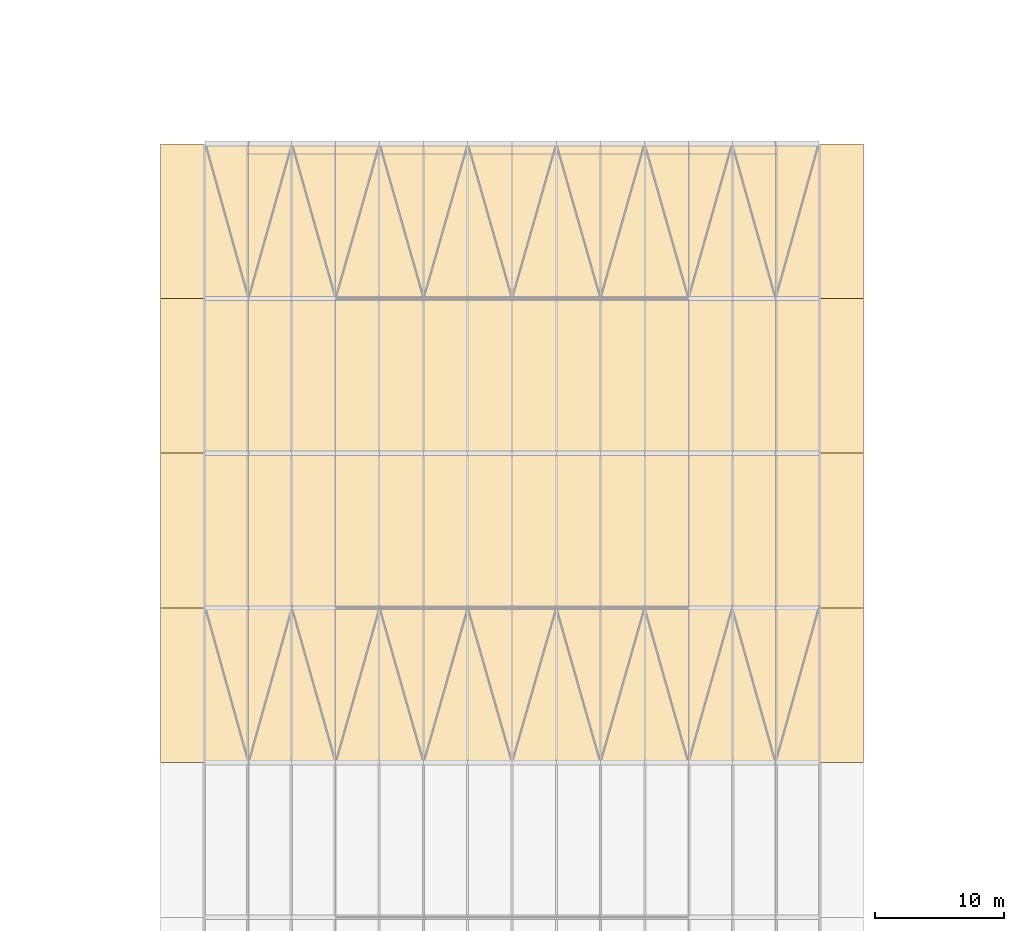
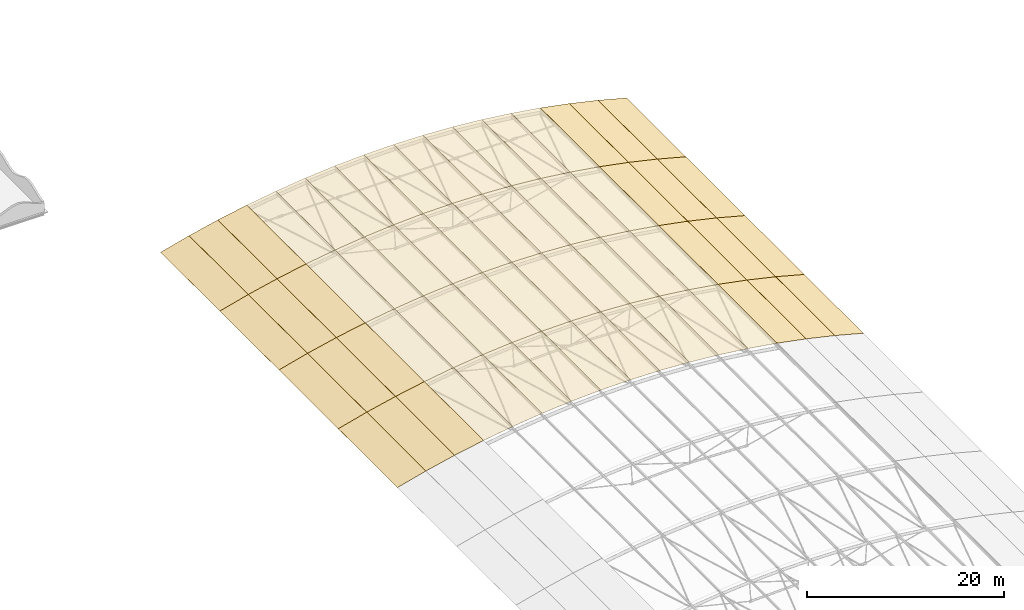
# One storey, part 90 of 91: 64 coverings.
"""IFC4 building model written with IfcOpenShell, lengths in metres."""

from ifc_helpers import new_model, si_unit, direction, frame, origin, place, context, subcontext, project, spatial, polyline, outline, extrude, material, layer, layer_set, type_object, element, save


model = new_model("IFC4")

# Units and contexts
model_context = context("Model", 3, precision=1e-05, world=origin(), true_north=direction((0.0, 1.0)))
body_context = subcontext(model_context, "Body", "Model", "MODEL_VIEW")
ifc_project = project(units=[si_unit("LENGTHUNIT", "METRE"), si_unit("AREAUNIT", "SQUARE_METRE"), si_unit("VOLUMEUNIT", "CUBIC_METRE"), si_unit("PLANEANGLEUNIT", "RADIAN"), si_unit("MASSUNIT", "GRAM", prefix="KILO")], contexts=[model_context])

# Site, building, storey
site_placement = place(None, origin())
site = spatial("IfcSite", under=ifc_project, at=site_placement, CompositionType="ELEMENT")
building_placement = place(site_placement, origin())
building = spatial("IfcBuilding", under=site, at=building_placement, Name="Ravi Spectrum Wholesale Market", CompositionType="ELEMENT")
storey_placement = place(building_placement, frame((0.0, 0.0, 16.199951171875)))
storey = spatial("IfcBuildingStorey", under=building, at=storey_placement, Name="ROOF PLANT LEVEL", CompositionType="ELEMENT", Elevation=16.199951171875)

# Coverings
ifc_material = material(Name="Roofing membrane")
ifc_layer = layer(ifc_material, 0.008056640625)
ifc_layer_set = layer_set([ifc_layer], Name="Roofing membrane")
covering_type = type_object("IfcCoveringType", Name="Roofing membrane 8", PredefinedType="ROOFING", material=ifc_layer_set)
covering_1_placement = place(storey_placement, frame((42.741455078125, 150.0, -0.18408203125), z_axis=(-0.255845834828, 0.0, 0.966717595165), x_axis=(0.966717595165, 0.0, 0.255845834828)))
element("IfcCovering", 1, at=covering_1_placement, inside=storey, type_object=covering_type, Name="H1-CV-ROOF-161", PredefinedType="ROOFING", context=body_context, shape_type="SweptSolid", body=[
    extrude(outline(polyline([(0.0, 0.0), (3.4467472886248953, 0.0), (3.4467472886248953, 12.0), (0.0, 12.0), (0.0, 0.0)])), origin(), (0.0, 0.0, -1.0), 0.008056640625),
])
covering_2_placement = place(storey_placement, frame((46.07763671875, 150.0, 0.698974609375), z_axis=(-0.222349705354, 0.0, 0.974966978174), x_axis=(0.974966978174, 0.0, 0.222349705354)))
element("IfcCovering", 2, at=covering_2_placement, inside=storey, type_object=covering_type, Name="H1-CV-ROOF-162", PredefinedType="ROOFING", context=body_context, shape_type="SweptSolid", body=[
    extrude(outline(polyline([(0.0, 0.0), (3.4466311554413664, 0.0), (3.4466311554413664, 12.0), (0.0, 12.0), (0.0, 0.0)])), origin(), (0.0, 0.0, -1.0), 0.008056640625),
])
covering_3_placement = place(storey_placement, frame((49.4423828125, 150.0, 1.46630859375), z_axis=(-0.188563640263, 0.0, 0.98206097243), x_axis=(0.98206097243, 0.0, 0.188563640263)))
element("IfcCovering", 3, at=covering_3_placement, inside=storey, type_object=covering_type, Name="H1-CV-ROOF-163", PredefinedType="ROOFING", context=body_context, shape_type="SweptSolid", body=[
    extrude(outline(polyline([(0.0, 0.0), (3.446594172889141, 0.0), (3.446594172889141, 12.0), (0.0, 12.0), (0.0, 0.0)])), origin(), (0.0, 0.0, -1.0), 0.008056640625),
])
covering_4_placement = place(storey_placement, frame((52.83154296875, 150.0, 2.116943359375), z_axis=(-0.154638345742, 0.0, 0.987971144329), x_axis=(0.987971144329, 0.0, 0.154638345742)))
element("IfcCovering", 4, at=covering_4_placement, inside=storey, type_object=covering_type, Name="H1-CV-ROOF-164", PredefinedType="ROOFING", context=body_context, shape_type="SweptSolid", body=[
    extrude(outline(polyline([(0.0, 0.0), (3.446486586598458, 0.0), (3.446486586598458, 12.000000000000004), (0.0, 12.000000000000004), (0.0, 0.0)])), origin(), (0.0, 0.0, -1.0), 0.008056640625),
])
covering_5_placement = place(storey_placement, frame((56.240966796875, 150.0, 2.650634765625), z_axis=(-0.120415981986, 0.0, 0.992723522076), x_axis=(0.992723522076, 0.0, 0.120415981986)))
element("IfcCovering", 5, at=covering_5_placement, inside=storey, type_object=covering_type, Name="H1-CV-ROOF-165", PredefinedType="ROOFING", context=body_context, shape_type="SweptSolid", body=[
    extrude(outline(polyline([(0.0, 0.0), (3.446710774235079, 0.0), (3.446710774235079, 12.0), (0.0, 12.0), (0.0, 0.0)])), origin(), (0.0, 0.0, -1.0), 0.008056640625),
])
covering_6_placement = place(storey_placement, frame((59.6669921875, 150.0, 3.066162109375), z_axis=(-0.086134430501, 0.0, 0.996283523844), x_axis=(0.996283523844, 0.0, 0.086134430501)))
element("IfcCovering", 6, at=covering_6_placement, inside=storey, type_object=covering_type, Name="H1-CV-ROOF-166", PredefinedType="ROOFING", context=body_context, shape_type="SweptSolid", body=[
    extrude(outline(polyline([(0.0, 0.0), (3.4466472730346154, 0.0), (3.4466472730346154, 12.000000000000004), (0.0, 12.000000000000004), (0.0, 0.0)])), origin(), (0.0, 0.0, -1.0), 0.008056640625),
])
covering_7_placement = place(storey_placement, frame((63.105224609375, 150.0, 3.36328125), z_axis=(-0.051778101083, 0.0, 0.998658614467), x_axis=(0.998658614467, 0.0, 0.051778101083)))
element("IfcCovering", 7, at=covering_7_placement, inside=storey, type_object=covering_type, Name="H1-CV-ROOF-167", PredefinedType="ROOFING", context=body_context, shape_type="SweptSolid", body=[
    extrude(outline(polyline([(0.0, 0.0), (3.4467621087049527, 0.0), (3.4467621087049527, 11.999999999999998), (0.0, 11.999999999999998), (0.0, 0.0)])), origin(), (0.0, 0.0, -1.0), 0.008056640625),
])
for number, where, z_axis, x_axis, name in (
    (8, (66.5517578125, 150.0, 3.541748046875), (-0.017283992309, 0.0, 0.999850620648), (0.999850620648, 0.0, 0.017283992309), "H1-CV-ROOF-168"),
    (9, (70.002197265625, 150.0, 3.601318359375), (0.017283992309, 0.0, 0.999850620648), (0.999850620648, 0.0, -0.017283992309), "H1-CV-ROOF-169"),
):
    element("IfcCovering", number, at=place(storey_placement, frame(where, z_axis=z_axis, x_axis=x_axis)), inside=storey, type_object=covering_type, Name=name, PredefinedType="ROOFING", context=body_context, shape_type="SweptSolid", body=[
        extrude(outline(polyline([(0.0, 0.0), (3.4465597667401364, 0.0), (3.4465597667401364, 12.0), (0.0, 12.0), (0.0, 0.0)])), origin(), (0.0, 0.0, -1.0), 0.008056640625),
    ])
covering_8_placement = place(storey_placement, frame((73.45263671875, 150.0, 3.541748046875), z_axis=(0.051778101083, 0.0, 0.998658614467), x_axis=(0.998658614467, 0.0, -0.051778101083)))
element("IfcCovering", 10, at=covering_8_placement, inside=storey, type_object=covering_type, Name="H1-CV-ROOF-170", PredefinedType="ROOFING", context=body_context, shape_type="SweptSolid", body=[
    extrude(outline(polyline([(0.0, 0.0), (3.4467621087049527, 0.0), (3.4467621087049527, 11.999999999999998), (0.0, 11.999999999999998), (0.0, 0.0)])), origin(), (0.0, 0.0, -1.0), 0.008056640625),
])
covering_9_placement = place(storey_placement, frame((76.899169921875, 150.0, 3.363037109375), z_axis=(0.086134430501, 0.0, 0.996283523844), x_axis=(0.996283523844, 0.0, -0.086134430501)))
element("IfcCovering", 11, at=covering_9_placement, inside=storey, type_object=covering_type, Name="H1-CV-ROOF-171", PredefinedType="ROOFING", context=body_context, shape_type="SweptSolid", body=[
    extrude(outline(polyline([(0.0, 0.0), (3.4466472730346154, 0.0), (3.4466472730346154, 12.000000000000004), (0.0, 12.000000000000004), (0.0, 0.0)])), origin(), (0.0, 0.0, -1.0), 0.008056640625),
])
covering_10_placement = place(storey_placement, frame((80.33740234375, 150.0, 3.065673828125), z_axis=(0.120415981986, 0.0, 0.992723522076), x_axis=(0.992723522076, 0.0, -0.120415981986)))
element("IfcCovering", 12, at=covering_10_placement, inside=storey, type_object=covering_type, Name="H1-CV-ROOF-172", PredefinedType="ROOFING", context=body_context, shape_type="SweptSolid", body=[
    extrude(outline(polyline([(0.0, 0.0), (3.446710774235079, 0.0), (3.446710774235079, 12.0), (0.0, 12.0), (0.0, 0.0)])), origin(), (0.0, 0.0, -1.0), 0.008056640625),
])
covering_11_placement = place(storey_placement, frame((83.763427734375, 150.0, 2.64990234375), z_axis=(0.154638345742, 0.0, 0.987971144329), x_axis=(0.987971144329, 0.0, -0.154638345742)))
element("IfcCovering", 13, at=covering_11_placement, inside=storey, type_object=covering_type, Name="H1-CV-ROOF-173", PredefinedType="ROOFING", context=body_context, shape_type="SweptSolid", body=[
    extrude(outline(polyline([(0.0, 0.0), (3.446486586598458, 0.0), (3.446486586598458, 12.000000000000004), (0.0, 12.000000000000004), (0.0, 0.0)])), origin(), (0.0, 0.0, -1.0), 0.008056640625),
])
covering_12_placement = place(storey_placement, frame((87.1728515625, 150.0, 2.1162109375), z_axis=(0.188563640263, 0.0, 0.98206097243), x_axis=(0.98206097243, 0.0, -0.188563640263)))
element("IfcCovering", 14, at=covering_12_placement, inside=storey, type_object=covering_type, Name="H1-CV-ROOF-174", PredefinedType="ROOFING", context=body_context, shape_type="SweptSolid", body=[
    extrude(outline(polyline([(0.0, 0.0), (3.446594172889141, 0.0), (3.446594172889141, 12.0), (0.0, 12.0), (0.0, 0.0)])), origin(), (0.0, 0.0, -1.0), 0.008056640625),
])
covering_13_placement = place(storey_placement, frame((90.56201171875, 150.0, 1.46533203125), z_axis=(0.222349705354, 0.0, 0.974966978174), x_axis=(0.974966978174, 0.0, -0.222349705354)))
element("IfcCovering", 15, at=covering_13_placement, inside=storey, type_object=covering_type, Name="H1-CV-ROOF-175", PredefinedType="ROOFING", context=body_context, shape_type="SweptSolid", body=[
    extrude(outline(polyline([(0.0, 0.0), (3.4466311554413664, 0.0), (3.4466311554413664, 12.0), (0.0, 12.0), (0.0, 0.0)])), origin(), (0.0, 0.0, -1.0), 0.008056640625),
])
for number, where, z_axis, x_axis, name in (
    (16, (93.926513671875, 150.0, 0.69775390625), (0.255845834828, 0.0, 0.966717595165), (0.966717595165, 0.0, -0.255845834828), "H1-CV-ROOF-176"),
    (17, (42.741455078125, 162.0, -0.18408203125), (-0.255845834828, 0.0, 0.966717595165), (0.966717595165, 0.0, 0.255845834828), "H1-CV-ROOF-177"),
):
    element("IfcCovering", number, at=place(storey_placement, frame(where, z_axis=z_axis, x_axis=x_axis)), inside=storey, type_object=covering_type, Name=name, PredefinedType="ROOFING", context=body_context, shape_type="SweptSolid", body=[
        extrude(outline(polyline([(0.0, 0.0), (3.4467472886248953, 0.0), (3.4467472886248953, 12.0), (0.0, 12.0), (0.0, 0.0)])), origin(), (0.0, 0.0, -1.0), 0.008056640625),
    ])
covering_14_placement = place(storey_placement, frame((46.07763671875, 162.0, 0.698974609375), z_axis=(-0.222349705354, 0.0, 0.974966978174), x_axis=(0.974966978174, 0.0, 0.222349705354)))
element("IfcCovering", 18, at=covering_14_placement, inside=storey, type_object=covering_type, Name="H1-CV-ROOF-178", PredefinedType="ROOFING", context=body_context, shape_type="SweptSolid", body=[
    extrude(outline(polyline([(0.0, 0.0), (3.4466311554413664, 0.0), (3.4466311554413664, 12.0), (0.0, 12.0), (0.0, 0.0)])), origin(), (0.0, 0.0, -1.0), 0.008056640625),
])
covering_15_placement = place(storey_placement, frame((49.4423828125, 162.0, 1.46630859375), z_axis=(-0.188563640263, 0.0, 0.98206097243), x_axis=(0.98206097243, 0.0, 0.188563640263)))
element("IfcCovering", 19, at=covering_15_placement, inside=storey, type_object=covering_type, Name="H1-CV-ROOF-179", PredefinedType="ROOFING", context=body_context, shape_type="SweptSolid", body=[
    extrude(outline(polyline([(0.0, 0.0), (3.446594172889141, 0.0), (3.446594172889141, 12.0), (0.0, 12.0), (0.0, 0.0)])), origin(), (0.0, 0.0, -1.0), 0.008056640625),
])
covering_16_placement = place(storey_placement, frame((52.83154296875, 162.0, 2.116943359375), z_axis=(-0.154638345742, 0.0, 0.987971144329), x_axis=(0.987971144329, 0.0, 0.154638345742)))
element("IfcCovering", 20, at=covering_16_placement, inside=storey, type_object=covering_type, Name="H1-CV-ROOF-180", PredefinedType="ROOFING", context=body_context, shape_type="SweptSolid", body=[
    extrude(outline(polyline([(0.0, 0.0), (3.446486586598458, 0.0), (3.446486586598458, 12.000000000000004), (0.0, 12.000000000000004), (0.0, 0.0)])), origin(), (0.0, 0.0, -1.0), 0.008056640625),
])
covering_17_placement = place(storey_placement, frame((56.240966796875, 162.0, 2.650634765625), z_axis=(-0.120415981986, 0.0, 0.992723522076), x_axis=(0.992723522076, 0.0, 0.120415981986)))
element("IfcCovering", 21, at=covering_17_placement, inside=storey, type_object=covering_type, Name="H1-CV-ROOF-181", PredefinedType="ROOFING", context=body_context, shape_type="SweptSolid", body=[
    extrude(outline(polyline([(0.0, 0.0), (3.446710774235079, 0.0), (3.446710774235079, 12.0), (0.0, 12.0), (0.0, 0.0)])), origin(), (0.0, 0.0, -1.0), 0.008056640625),
])
covering_18_placement = place(storey_placement, frame((59.6669921875, 162.0, 3.066162109375), z_axis=(-0.086134430501, 0.0, 0.996283523844), x_axis=(0.996283523844, 0.0, 0.086134430501)))
element("IfcCovering", 22, at=covering_18_placement, inside=storey, type_object=covering_type, Name="H1-CV-ROOF-182", PredefinedType="ROOFING", context=body_context, shape_type="SweptSolid", body=[
    extrude(outline(polyline([(0.0, 0.0), (3.4466472730346154, 0.0), (3.4466472730346154, 12.000000000000004), (0.0, 12.000000000000004), (0.0, 0.0)])), origin(), (0.0, 0.0, -1.0), 0.008056640625),
])
covering_19_placement = place(storey_placement, frame((63.105224609375, 162.0, 3.36328125), z_axis=(-0.051778101083, 0.0, 0.998658614467), x_axis=(0.998658614467, 0.0, 0.051778101083)))
element("IfcCovering", 23, at=covering_19_placement, inside=storey, type_object=covering_type, Name="H1-CV-ROOF-183", PredefinedType="ROOFING", context=body_context, shape_type="SweptSolid", body=[
    extrude(outline(polyline([(0.0, 0.0), (3.4467621087049527, 0.0), (3.4467621087049527, 11.999999999999998), (0.0, 11.999999999999998), (0.0, 0.0)])), origin(), (0.0, 0.0, -1.0), 0.008056640625),
])
for number, where, z_axis, x_axis, name in (
    (24, (66.5517578125, 162.0, 3.541748046875), (-0.017283992309, 0.0, 0.999850620648), (0.999850620648, 0.0, 0.017283992309), "H1-CV-ROOF-184"),
    (25, (70.002197265625, 162.0, 3.601318359375), (0.017283992309, 0.0, 0.999850620648), (0.999850620648, 0.0, -0.017283992309), "H1-CV-ROOF-185"),
):
    element("IfcCovering", number, at=place(storey_placement, frame(where, z_axis=z_axis, x_axis=x_axis)), inside=storey, type_object=covering_type, Name=name, PredefinedType="ROOFING", context=body_context, shape_type="SweptSolid", body=[
        extrude(outline(polyline([(0.0, 0.0), (3.4465597667401364, 0.0), (3.4465597667401364, 12.0), (0.0, 12.0), (0.0, 0.0)])), origin(), (0.0, 0.0, -1.0), 0.008056640625),
    ])
covering_20_placement = place(storey_placement, frame((73.45263671875, 162.0, 3.541748046875), z_axis=(0.051778101083, 0.0, 0.998658614467), x_axis=(0.998658614467, 0.0, -0.051778101083)))
element("IfcCovering", 26, at=covering_20_placement, inside=storey, type_object=covering_type, Name="H1-CV-ROOF-186", PredefinedType="ROOFING", context=body_context, shape_type="SweptSolid", body=[
    extrude(outline(polyline([(0.0, 0.0), (3.4467621087049527, 0.0), (3.4467621087049527, 11.999999999999998), (0.0, 11.999999999999998), (0.0, 0.0)])), origin(), (0.0, 0.0, -1.0), 0.008056640625),
])
covering_21_placement = place(storey_placement, frame((76.899169921875, 162.0, 3.363037109375), z_axis=(0.086134430501, 0.0, 0.996283523844), x_axis=(0.996283523844, 0.0, -0.086134430501)))
element("IfcCovering", 27, at=covering_21_placement, inside=storey, type_object=covering_type, Name="H1-CV-ROOF-187", PredefinedType="ROOFING", context=body_context, shape_type="SweptSolid", body=[
    extrude(outline(polyline([(0.0, 0.0), (3.4466472730346154, 0.0), (3.4466472730346154, 12.000000000000004), (0.0, 12.000000000000004), (0.0, 0.0)])), origin(), (0.0, 0.0, -1.0), 0.008056640625),
])
covering_22_placement = place(storey_placement, frame((80.33740234375, 162.0, 3.065673828125), z_axis=(0.120415981986, 0.0, 0.992723522076), x_axis=(0.992723522076, 0.0, -0.120415981986)))
element("IfcCovering", 28, at=covering_22_placement, inside=storey, type_object=covering_type, Name="H1-CV-ROOF-188", PredefinedType="ROOFING", context=body_context, shape_type="SweptSolid", body=[
    extrude(outline(polyline([(0.0, 0.0), (3.446710774235079, 0.0), (3.446710774235079, 12.0), (0.0, 12.0), (0.0, 0.0)])), origin(), (0.0, 0.0, -1.0), 0.008056640625),
])
covering_23_placement = place(storey_placement, frame((83.763427734375, 162.0, 2.64990234375), z_axis=(0.154638345742, 0.0, 0.987971144329), x_axis=(0.987971144329, 0.0, -0.154638345742)))
element("IfcCovering", 29, at=covering_23_placement, inside=storey, type_object=covering_type, Name="H1-CV-ROOF-189", PredefinedType="ROOFING", context=body_context, shape_type="SweptSolid", body=[
    extrude(outline(polyline([(0.0, 0.0), (3.446486586598458, 0.0), (3.446486586598458, 12.000000000000004), (0.0, 12.000000000000004), (0.0, 0.0)])), origin(), (0.0, 0.0, -1.0), 0.008056640625),
])
covering_24_placement = place(storey_placement, frame((87.1728515625, 162.0, 2.1162109375), z_axis=(0.188563640263, 0.0, 0.98206097243), x_axis=(0.98206097243, 0.0, -0.188563640263)))
element("IfcCovering", 30, at=covering_24_placement, inside=storey, type_object=covering_type, Name="H1-CV-ROOF-190", PredefinedType="ROOFING", context=body_context, shape_type="SweptSolid", body=[
    extrude(outline(polyline([(0.0, 0.0), (3.446594172889141, 0.0), (3.446594172889141, 12.0), (0.0, 12.0), (0.0, 0.0)])), origin(), (0.0, 0.0, -1.0), 0.008056640625),
])
covering_25_placement = place(storey_placement, frame((90.56201171875, 162.0, 1.46533203125), z_axis=(0.222349705354, 0.0, 0.974966978174), x_axis=(0.974966978174, 0.0, -0.222349705354)))
element("IfcCovering", 31, at=covering_25_placement, inside=storey, type_object=covering_type, Name="H1-CV-ROOF-191", PredefinedType="ROOFING", context=body_context, shape_type="SweptSolid", body=[
    extrude(outline(polyline([(0.0, 0.0), (3.4466311554413664, 0.0), (3.4466311554413664, 12.0), (0.0, 12.0), (0.0, 0.0)])), origin(), (0.0, 0.0, -1.0), 0.008056640625),
])
for number, where, z_axis, x_axis, name in (
    (32, (93.926513671875, 162.0, 0.69775390625), (0.255845834828, 0.0, 0.966717595165), (0.966717595165, 0.0, -0.255845834828), "H1-CV-ROOF-192"),
    (33, (42.741455078125, 174.0, -0.18408203125), (-0.255845834828, 0.0, 0.966717595165), (0.966717595165, 0.0, 0.255845834828), "H1-CV-ROOF-193"),
):
    element("IfcCovering", number, at=place(storey_placement, frame(where, z_axis=z_axis, x_axis=x_axis)), inside=storey, type_object=covering_type, Name=name, PredefinedType="ROOFING", context=body_context, shape_type="SweptSolid", body=[
        extrude(outline(polyline([(0.0, 0.0), (3.4467472886248953, 0.0), (3.4467472886248953, 12.0), (0.0, 12.0), (0.0, 0.0)])), origin(), (0.0, 0.0, -1.0), 0.008056640625),
    ])
covering_26_placement = place(storey_placement, frame((46.07763671875, 174.0, 0.698974609375), z_axis=(-0.222349705354, 0.0, 0.974966978174), x_axis=(0.974966978174, 0.0, 0.222349705354)))
element("IfcCovering", 34, at=covering_26_placement, inside=storey, type_object=covering_type, Name="H1-CV-ROOF-194", PredefinedType="ROOFING", context=body_context, shape_type="SweptSolid", body=[
    extrude(outline(polyline([(0.0, 0.0), (3.4466311554413664, 0.0), (3.4466311554413664, 12.0), (0.0, 12.0), (0.0, 0.0)])), origin(), (0.0, 0.0, -1.0), 0.008056640625),
])
covering_27_placement = place(storey_placement, frame((49.4423828125, 174.0, 1.46630859375), z_axis=(-0.188563640263, 0.0, 0.98206097243), x_axis=(0.98206097243, 0.0, 0.188563640263)))
element("IfcCovering", 35, at=covering_27_placement, inside=storey, type_object=covering_type, Name="H1-CV-ROOF-195", PredefinedType="ROOFING", context=body_context, shape_type="SweptSolid", body=[
    extrude(outline(polyline([(0.0, 0.0), (3.446594172889141, 0.0), (3.446594172889141, 12.0), (0.0, 12.0), (0.0, 0.0)])), origin(), (0.0, 0.0, -1.0), 0.008056640625),
])
covering_28_placement = place(storey_placement, frame((52.83154296875, 174.0, 2.116943359375), z_axis=(-0.154638345742, 0.0, 0.987971144329), x_axis=(0.987971144329, 0.0, 0.154638345742)))
element("IfcCovering", 36, at=covering_28_placement, inside=storey, type_object=covering_type, Name="H1-CV-ROOF-196", PredefinedType="ROOFING", context=body_context, shape_type="SweptSolid", body=[
    extrude(outline(polyline([(0.0, 0.0), (3.446486586598458, 0.0), (3.446486586598458, 12.000000000000004), (0.0, 12.000000000000004), (0.0, 0.0)])), origin(), (0.0, 0.0, -1.0), 0.008056640625),
])
covering_29_placement = place(storey_placement, frame((56.240966796875, 174.0, 2.650634765625), z_axis=(-0.120415981986, 0.0, 0.992723522076), x_axis=(0.992723522076, 0.0, 0.120415981986)))
element("IfcCovering", 37, at=covering_29_placement, inside=storey, type_object=covering_type, Name="H1-CV-ROOF-197", PredefinedType="ROOFING", context=body_context, shape_type="SweptSolid", body=[
    extrude(outline(polyline([(0.0, 0.0), (3.446710774235079, 0.0), (3.446710774235079, 12.0), (0.0, 12.0), (0.0, 0.0)])), origin(), (0.0, 0.0, -1.0), 0.008056640625),
])
covering_30_placement = place(storey_placement, frame((59.6669921875, 174.0, 3.066162109375), z_axis=(-0.086134430501, 0.0, 0.996283523844), x_axis=(0.996283523844, 0.0, 0.086134430501)))
element("IfcCovering", 38, at=covering_30_placement, inside=storey, type_object=covering_type, Name="H1-CV-ROOF-198", PredefinedType="ROOFING", context=body_context, shape_type="SweptSolid", body=[
    extrude(outline(polyline([(0.0, 0.0), (3.4466472730346154, 0.0), (3.4466472730346154, 12.000000000000004), (0.0, 12.000000000000004), (0.0, 0.0)])), origin(), (0.0, 0.0, -1.0), 0.008056640625),
])
covering_31_placement = place(storey_placement, frame((63.105224609375, 174.0, 3.36328125), z_axis=(-0.051778101083, 0.0, 0.998658614467), x_axis=(0.998658614467, 0.0, 0.051778101083)))
element("IfcCovering", 39, at=covering_31_placement, inside=storey, type_object=covering_type, Name="H1-CV-ROOF-199", PredefinedType="ROOFING", context=body_context, shape_type="SweptSolid", body=[
    extrude(outline(polyline([(0.0, 0.0), (3.4467621087049527, 0.0), (3.4467621087049527, 11.999999999999998), (0.0, 11.999999999999998), (0.0, 0.0)])), origin(), (0.0, 0.0, -1.0), 0.008056640625),
])
for number, where, z_axis, x_axis, name in (
    (40, (66.5517578125, 174.0, 3.541748046875), (-0.017283992309, 0.0, 0.999850620648), (0.999850620648, 0.0, 0.017283992309), "H1-CV-ROOF-200"),
    (41, (70.002197265625, 174.0, 3.601318359375), (0.017283992309, 0.0, 0.999850620648), (0.999850620648, 0.0, -0.017283992309), "H1-CV-ROOF-201"),
):
    element("IfcCovering", number, at=place(storey_placement, frame(where, z_axis=z_axis, x_axis=x_axis)), inside=storey, type_object=covering_type, Name=name, PredefinedType="ROOFING", context=body_context, shape_type="SweptSolid", body=[
        extrude(outline(polyline([(0.0, 0.0), (3.4465597667401364, 0.0), (3.4465597667401364, 12.0), (0.0, 12.0), (0.0, 0.0)])), origin(), (0.0, 0.0, -1.0), 0.008056640625),
    ])
covering_32_placement = place(storey_placement, frame((73.45263671875, 174.0, 3.541748046875), z_axis=(0.051778101083, 0.0, 0.998658614467), x_axis=(0.998658614467, 0.0, -0.051778101083)))
element("IfcCovering", 42, at=covering_32_placement, inside=storey, type_object=covering_type, Name="H1-CV-ROOF-202", PredefinedType="ROOFING", context=body_context, shape_type="SweptSolid", body=[
    extrude(outline(polyline([(0.0, 0.0), (3.4467621087049527, 0.0), (3.4467621087049527, 11.999999999999998), (0.0, 11.999999999999998), (0.0, 0.0)])), origin(), (0.0, 0.0, -1.0), 0.008056640625),
])
covering_33_placement = place(storey_placement, frame((76.899169921875, 174.0, 3.363037109375), z_axis=(0.086134430501, 0.0, 0.996283523844), x_axis=(0.996283523844, 0.0, -0.086134430501)))
element("IfcCovering", 43, at=covering_33_placement, inside=storey, type_object=covering_type, Name="H1-CV-ROOF-203", PredefinedType="ROOFING", context=body_context, shape_type="SweptSolid", body=[
    extrude(outline(polyline([(0.0, 0.0), (3.4466472730346154, 0.0), (3.4466472730346154, 12.000000000000004), (0.0, 12.000000000000004), (0.0, 0.0)])), origin(), (0.0, 0.0, -1.0), 0.008056640625),
])
covering_34_placement = place(storey_placement, frame((80.33740234375, 174.0, 3.065673828125), z_axis=(0.120415981986, 0.0, 0.992723522076), x_axis=(0.992723522076, 0.0, -0.120415981986)))
element("IfcCovering", 44, at=covering_34_placement, inside=storey, type_object=covering_type, Name="H1-CV-ROOF-204", PredefinedType="ROOFING", context=body_context, shape_type="SweptSolid", body=[
    extrude(outline(polyline([(0.0, 0.0), (3.446710774235079, 0.0), (3.446710774235079, 12.0), (0.0, 12.0), (0.0, 0.0)])), origin(), (0.0, 0.0, -1.0), 0.008056640625),
])
covering_35_placement = place(storey_placement, frame((83.763427734375, 174.0, 2.64990234375), z_axis=(0.154638345742, 0.0, 0.987971144329), x_axis=(0.987971144329, 0.0, -0.154638345742)))
element("IfcCovering", 45, at=covering_35_placement, inside=storey, type_object=covering_type, Name="H1-CV-ROOF-205", PredefinedType="ROOFING", context=body_context, shape_type="SweptSolid", body=[
    extrude(outline(polyline([(0.0, 0.0), (3.446486586598458, 0.0), (3.446486586598458, 12.000000000000004), (0.0, 12.000000000000004), (0.0, 0.0)])), origin(), (0.0, 0.0, -1.0), 0.008056640625),
])
covering_36_placement = place(storey_placement, frame((87.1728515625, 174.0, 2.1162109375), z_axis=(0.188563640263, 0.0, 0.98206097243), x_axis=(0.98206097243, 0.0, -0.188563640263)))
element("IfcCovering", 46, at=covering_36_placement, inside=storey, type_object=covering_type, Name="H1-CV-ROOF-206", PredefinedType="ROOFING", context=body_context, shape_type="SweptSolid", body=[
    extrude(outline(polyline([(0.0, 0.0), (3.446594172889141, 0.0), (3.446594172889141, 12.0), (0.0, 12.0), (0.0, 0.0)])), origin(), (0.0, 0.0, -1.0), 0.008056640625),
])
covering_37_placement = place(storey_placement, frame((90.56201171875, 174.0, 1.46533203125), z_axis=(0.222349705354, 0.0, 0.974966978174), x_axis=(0.974966978174, 0.0, -0.222349705354)))
element("IfcCovering", 47, at=covering_37_placement, inside=storey, type_object=covering_type, Name="H1-CV-ROOF-207", PredefinedType="ROOFING", context=body_context, shape_type="SweptSolid", body=[
    extrude(outline(polyline([(0.0, 0.0), (3.4466311554413664, 0.0), (3.4466311554413664, 12.0), (0.0, 12.0), (0.0, 0.0)])), origin(), (0.0, 0.0, -1.0), 0.008056640625),
])
for number, where, z_axis, x_axis, name in (
    (48, (93.926513671875, 174.0, 0.69775390625), (0.255845834828, 0.0, 0.966717595165), (0.966717595165, 0.0, -0.255845834828), "H1-CV-ROOF-208"),
    (49, (42.741455078125, 186.0, -0.18408203125), (-0.255845834828, 0.0, 0.966717595165), (0.966717595165, 0.0, 0.255845834828), "H1-CV-ROOF-209"),
):
    element("IfcCovering", number, at=place(storey_placement, frame(where, z_axis=z_axis, x_axis=x_axis)), inside=storey, type_object=covering_type, Name=name, PredefinedType="ROOFING", context=body_context, shape_type="SweptSolid", body=[
        extrude(outline(polyline([(0.0, 0.0), (3.4467472886248953, 0.0), (3.4467472886248953, 12.0), (0.0, 12.0), (0.0, 0.0)])), origin(), (0.0, 0.0, -1.0), 0.008056640625),
    ])
covering_38_placement = place(storey_placement, frame((46.07763671875, 186.0, 0.698974609375), z_axis=(-0.222349705354, 0.0, 0.974966978174), x_axis=(0.974966978174, 0.0, 0.222349705354)))
element("IfcCovering", 50, at=covering_38_placement, inside=storey, type_object=covering_type, Name="H1-CV-ROOF-210", PredefinedType="ROOFING", context=body_context, shape_type="SweptSolid", body=[
    extrude(outline(polyline([(0.0, 0.0), (3.4466311554413664, 0.0), (3.4466311554413664, 12.0), (0.0, 12.0), (0.0, 0.0)])), origin(), (0.0, 0.0, -1.0), 0.008056640625),
])
covering_39_placement = place(storey_placement, frame((49.4423828125, 186.0, 1.46630859375), z_axis=(-0.188563640263, 0.0, 0.98206097243), x_axis=(0.98206097243, 0.0, 0.188563640263)))
element("IfcCovering", 51, at=covering_39_placement, inside=storey, type_object=covering_type, Name="H1-CV-ROOF-211", PredefinedType="ROOFING", context=body_context, shape_type="SweptSolid", body=[
    extrude(outline(polyline([(0.0, 0.0), (3.446594172889141, 0.0), (3.446594172889141, 12.0), (0.0, 12.0), (0.0, 0.0)])), origin(), (0.0, 0.0, -1.0), 0.008056640625),
])
covering_40_placement = place(storey_placement, frame((52.83154296875, 186.0, 2.116943359375), z_axis=(-0.154638345742, 0.0, 0.987971144329), x_axis=(0.987971144329, 0.0, 0.154638345742)))
element("IfcCovering", 52, at=covering_40_placement, inside=storey, type_object=covering_type, Name="H1-CV-ROOF-212", PredefinedType="ROOFING", context=body_context, shape_type="SweptSolid", body=[
    extrude(outline(polyline([(0.0, 0.0), (3.446486586598458, 0.0), (3.446486586598458, 12.000000000000004), (0.0, 12.000000000000004), (0.0, 0.0)])), origin(), (0.0, 0.0, -1.0), 0.008056640625),
])
covering_41_placement = place(storey_placement, frame((56.240966796875, 186.0, 2.650634765625), z_axis=(-0.120415981986, 0.0, 0.992723522076), x_axis=(0.992723522076, 0.0, 0.120415981986)))
element("IfcCovering", 53, at=covering_41_placement, inside=storey, type_object=covering_type, Name="H1-CV-ROOF-213", PredefinedType="ROOFING", context=body_context, shape_type="SweptSolid", body=[
    extrude(outline(polyline([(0.0, 0.0), (3.446710774235079, 0.0), (3.446710774235079, 12.0), (0.0, 12.0), (0.0, 0.0)])), origin(), (0.0, 0.0, -1.0), 0.008056640625),
])
covering_42_placement = place(storey_placement, frame((59.6669921875, 186.0, 3.066162109375), z_axis=(-0.086134430501, 0.0, 0.996283523844), x_axis=(0.996283523844, 0.0, 0.086134430501)))
element("IfcCovering", 54, at=covering_42_placement, inside=storey, type_object=covering_type, Name="H1-CV-ROOF-214", PredefinedType="ROOFING", context=body_context, shape_type="SweptSolid", body=[
    extrude(outline(polyline([(0.0, 0.0), (3.4466472730346154, 0.0), (3.4466472730346154, 12.000000000000004), (0.0, 12.000000000000004), (0.0, 0.0)])), origin(), (0.0, 0.0, -1.0), 0.008056640625),
])
covering_43_placement = place(storey_placement, frame((63.105224609375, 186.0, 3.36328125), z_axis=(-0.051778101083, 0.0, 0.998658614467), x_axis=(0.998658614467, 0.0, 0.051778101083)))
element("IfcCovering", 55, at=covering_43_placement, inside=storey, type_object=covering_type, Name="H1-CV-ROOF-215", PredefinedType="ROOFING", context=body_context, shape_type="SweptSolid", body=[
    extrude(outline(polyline([(0.0, 0.0), (3.4467621087049527, 0.0), (3.4467621087049527, 11.999999999999998), (0.0, 11.999999999999998), (0.0, 0.0)])), origin(), (0.0, 0.0, -1.0), 0.008056640625),
])
for number, where, z_axis, x_axis, name in (
    (56, (66.5517578125, 186.0, 3.541748046875), (-0.017283992309, 0.0, 0.999850620648), (0.999850620648, 0.0, 0.017283992309), "H1-CV-ROOF-216"),
    (57, (70.002197265625, 186.0, 3.601318359375), (0.017283992309, 0.0, 0.999850620648), (0.999850620648, 0.0, -0.017283992309), "H1-CV-ROOF-217"),
):
    element("IfcCovering", number, at=place(storey_placement, frame(where, z_axis=z_axis, x_axis=x_axis)), inside=storey, type_object=covering_type, Name=name, PredefinedType="ROOFING", context=body_context, shape_type="SweptSolid", body=[
        extrude(outline(polyline([(0.0, 0.0), (3.4465597667401364, 0.0), (3.4465597667401364, 12.0), (0.0, 12.0), (0.0, 0.0)])), origin(), (0.0, 0.0, -1.0), 0.008056640625),
    ])
covering_44_placement = place(storey_placement, frame((73.45263671875, 186.0, 3.541748046875), z_axis=(0.051778101083, 0.0, 0.998658614467), x_axis=(0.998658614467, 0.0, -0.051778101083)))
element("IfcCovering", 58, at=covering_44_placement, inside=storey, type_object=covering_type, Name="H1-CV-ROOF-218", PredefinedType="ROOFING", context=body_context, shape_type="SweptSolid", body=[
    extrude(outline(polyline([(0.0, 0.0), (3.4467621087049527, 0.0), (3.4467621087049527, 11.999999999999998), (0.0, 11.999999999999998), (0.0, 0.0)])), origin(), (0.0, 0.0, -1.0), 0.008056640625),
])
covering_45_placement = place(storey_placement, frame((76.899169921875, 186.0, 3.363037109375), z_axis=(0.086134430501, 0.0, 0.996283523844), x_axis=(0.996283523844, 0.0, -0.086134430501)))
element("IfcCovering", 59, at=covering_45_placement, inside=storey, type_object=covering_type, Name="H1-CV-ROOF-219", PredefinedType="ROOFING", context=body_context, shape_type="SweptSolid", body=[
    extrude(outline(polyline([(0.0, 0.0), (3.4466472730346154, 0.0), (3.4466472730346154, 12.000000000000004), (0.0, 12.000000000000004), (0.0, 0.0)])), origin(), (0.0, 0.0, -1.0), 0.008056640625),
])
covering_46_placement = place(storey_placement, frame((80.33740234375, 186.0, 3.065673828125), z_axis=(0.120415981986, 0.0, 0.992723522076), x_axis=(0.992723522076, 0.0, -0.120415981986)))
element("IfcCovering", 60, at=covering_46_placement, inside=storey, type_object=covering_type, Name="H1-CV-ROOF-220", PredefinedType="ROOFING", context=body_context, shape_type="SweptSolid", body=[
    extrude(outline(polyline([(0.0, 0.0), (3.446710774235079, 0.0), (3.446710774235079, 12.0), (0.0, 12.0), (0.0, 0.0)])), origin(), (0.0, 0.0, -1.0), 0.008056640625),
])
covering_47_placement = place(storey_placement, frame((83.763427734375, 186.0, 2.64990234375), z_axis=(0.154638345742, 0.0, 0.987971144329), x_axis=(0.987971144329, 0.0, -0.154638345742)))
element("IfcCovering", 61, at=covering_47_placement, inside=storey, type_object=covering_type, Name="H1-CV-ROOF-221", PredefinedType="ROOFING", context=body_context, shape_type="SweptSolid", body=[
    extrude(outline(polyline([(0.0, 0.0), (3.446486586598458, 0.0), (3.446486586598458, 12.000000000000004), (0.0, 12.000000000000004), (0.0, 0.0)])), origin(), (0.0, 0.0, -1.0), 0.008056640625),
])
covering_48_placement = place(storey_placement, frame((87.1728515625, 186.0, 2.1162109375), z_axis=(0.188563640263, 0.0, 0.98206097243), x_axis=(0.98206097243, 0.0, -0.188563640263)))
element("IfcCovering", 62, at=covering_48_placement, inside=storey, type_object=covering_type, Name="H1-CV-ROOF-222", PredefinedType="ROOFING", context=body_context, shape_type="SweptSolid", body=[
    extrude(outline(polyline([(0.0, 0.0), (3.446594172889141, 0.0), (3.446594172889141, 12.0), (0.0, 12.0), (0.0, 0.0)])), origin(), (0.0, 0.0, -1.0), 0.008056640625),
])
covering_49_placement = place(storey_placement, frame((90.56201171875, 186.0, 1.46533203125), z_axis=(0.222349705354, 0.0, 0.974966978174), x_axis=(0.974966978174, 0.0, -0.222349705354)))
element("IfcCovering", 63, at=covering_49_placement, inside=storey, type_object=covering_type, Name="H1-CV-ROOF-223", PredefinedType="ROOFING", context=body_context, shape_type="SweptSolid", body=[
    extrude(outline(polyline([(0.0, 0.0), (3.4466311554413664, 0.0), (3.4466311554413664, 12.0), (0.0, 12.0), (0.0, 0.0)])), origin(), (0.0, 0.0, -1.0), 0.008056640625),
])
covering_50_placement = place(storey_placement, frame((93.926513671875, 186.0, 0.69775390625), z_axis=(0.255845834828, 0.0, 0.966717595165), x_axis=(0.966717595165, 0.0, -0.255845834828)))
element("IfcCovering", 64, at=covering_50_placement, inside=storey, type_object=covering_type, Name="H1-CV-ROOF-224", PredefinedType="ROOFING", context=body_context, shape_type="SweptSolid", body=[
    extrude(outline(polyline([(0.0, 0.0), (3.4467472886248953, 0.0), (3.4467472886248953, 12.0), (0.0, 12.0), (0.0, 0.0)])), origin(), (0.0, 0.0, -1.0), 0.008056640625),
])

save(model, "model.ifc")
